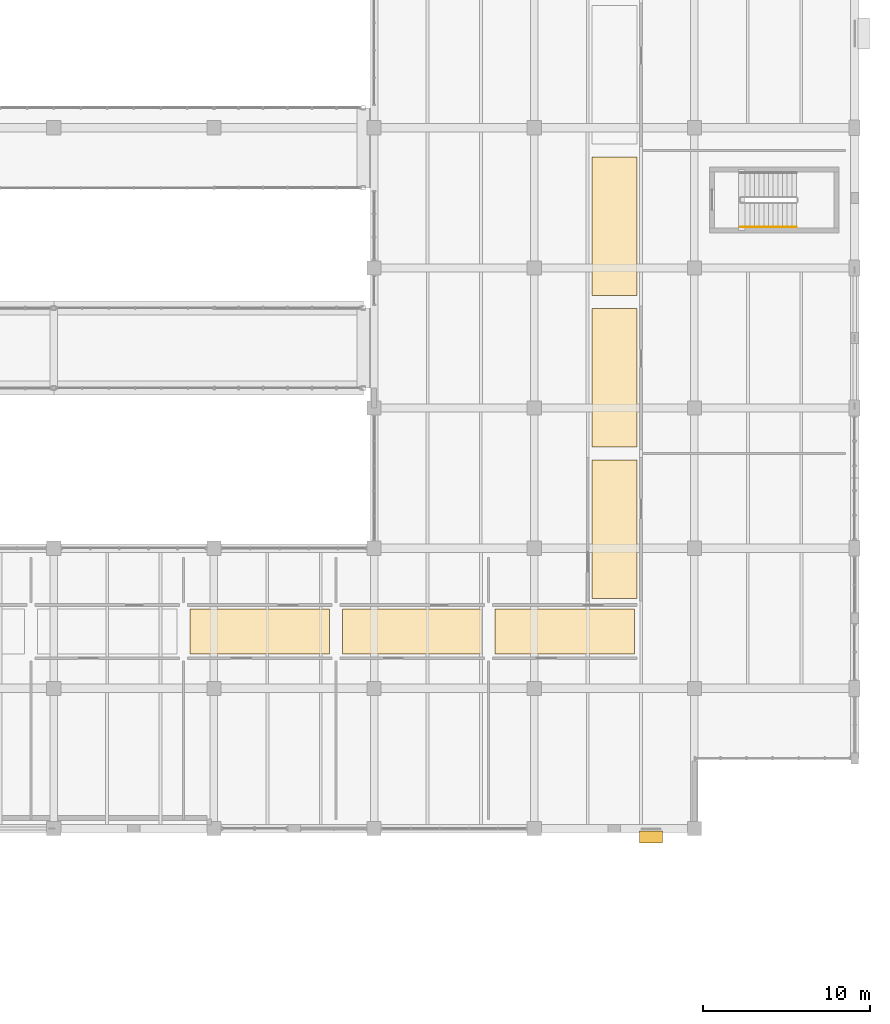
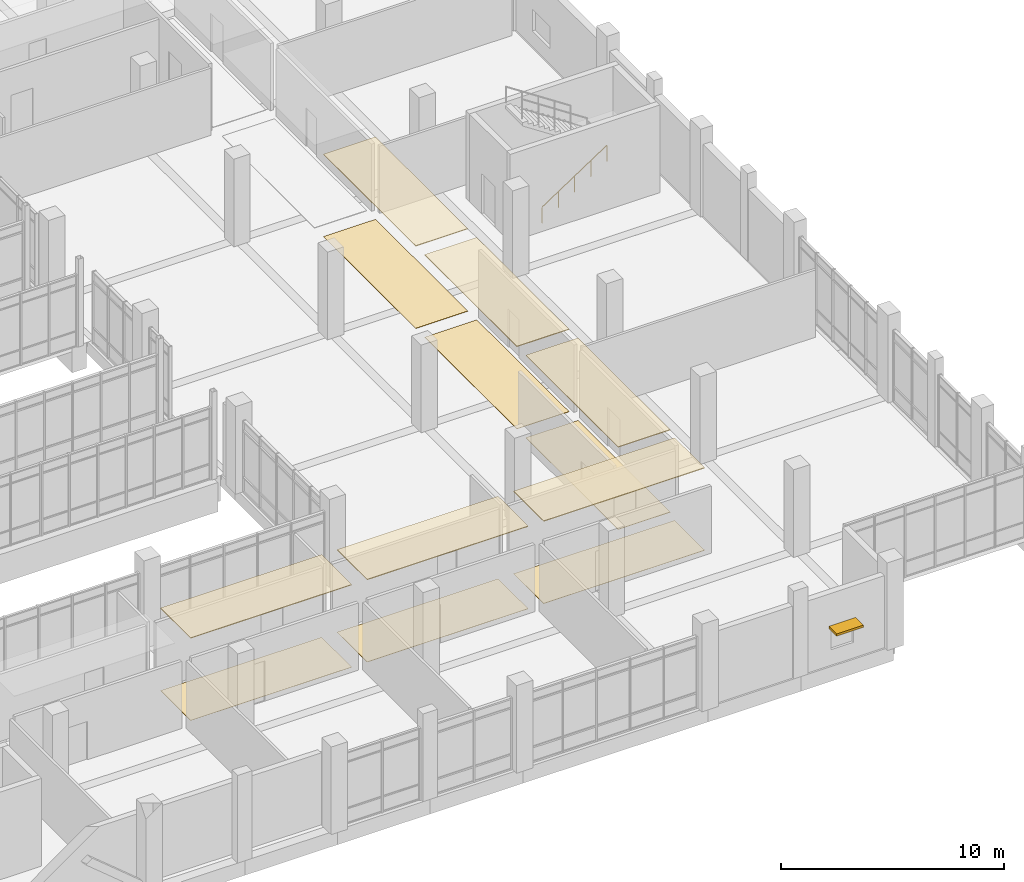
# One storey, part 145 of 152: 12 coverings, 1 railing, 1 shading device.
"""IFC4 building model written with IfcOpenShell, lengths in metres."""

from ifc_helpers import new_model, si_unit, direction, frame, origin, origin_2d, place, context, subcontext, project, spatial, polyline, rectangle, circle, outline, extrude, material, layer, layer_set, type_object, element, save


model = new_model("IFC4")

# Units and contexts
model_context = context("Model", 3, precision=1e-05, world=origin(), true_north=direction((0.0, 1.0)))
body_context = subcontext(model_context, "Body", "Model", "MODEL_VIEW")
ifc_project = project(units=[si_unit("LENGTHUNIT", "METRE"), si_unit("AREAUNIT", "SQUARE_METRE"), si_unit("VOLUMEUNIT", "CUBIC_METRE"), si_unit("PLANEANGLEUNIT", "RADIAN"), si_unit("MASSUNIT", "GRAM", prefix="KILO")], contexts=[model_context])

# Site, building, storey
site_placement = place(None, origin())
site = spatial("IfcSite", under=ifc_project, at=site_placement, CompositionType="ELEMENT")
building_placement = place(site_placement, origin())
building = spatial("IfcBuilding", under=site, at=building_placement, Name="Oolite Switchyard Hospital", CompositionType="ELEMENT")
storey_placement = place(building_placement, frame((0.0, 0.0, 5.10009765625)))
storey = spatial("IfcBuildingStorey", under=building, at=storey_placement, Name="L01", CompositionType="ELEMENT", Elevation=5.10009765625)

# Coverings
ifc_material_1 = material(Name="Hygienic washable mineral-fibre acoustic ceiling")
ifc_layer_1 = layer(ifc_material_1, 0.0400390625)
ifc_layer_set_1 = layer_set([ifc_layer_1], Name="COV-CEIL-AC60")
covering_type_1 = type_object("IfcCoveringType", Name="COV-CEIL-AC60", PredefinedType="CEILING", material=ifc_layer_set_1)
covering_1_placement = place(storey_placement, frame((0.0, 0.0, 4.5)))
element("IfcCovering", 1, at=covering_1_placement, inside=storey, type_object=covering_type_1, Name="L01 Outpatient Cardiology Corridor L01 Ceiling 5", PredefinedType="CEILING", context=body_context, shape_type="SweptSolid", body=[
    extrude(outline(polyline([(171.3720703125, 18.85009765625), (179.715087890625, 18.85009765625), (179.715087890625, 21.550048828125), (171.3720703125, 21.550048828125), (171.3720703125, 18.85009765625)])), origin(), (0.0, 0.0, 1.0), 0.039794921875),
])
covering_2_placement = place(storey_placement, frame((0.0, 0.0, 4.5)))
element("IfcCovering", 2, at=covering_2_placement, inside=storey, type_object=covering_type_1, Name="L01 Outpatient Cardiology Corridor L01 Ceiling 6", PredefinedType="CEILING", context=body_context, shape_type="SweptSolid", body=[
    extrude(outline(polyline([(180.514892578125, 18.85009765625), (188.85791015625, 18.85009765625), (188.85791015625, 21.550048828125), (180.514892578125, 21.550048828125), (180.514892578125, 18.85009765625)])), origin(), (0.0, 0.0, 1.0), 0.039794921875),
])
covering_3_placement = place(storey_placement, frame((0.0, 0.0, 4.5)))
element("IfcCovering", 3, at=covering_3_placement, inside=storey, type_object=covering_type_1, Name="L01 Outpatient Cardiology Corridor L01 Ceiling 7", PredefinedType="CEILING", context=body_context, shape_type="SweptSolid", body=[
    extrude(outline(polyline([(189.657958984375, 18.85009765625), (198.0009765625, 18.85009765625), (198.0009765625, 21.550048828125), (189.657958984375, 21.550048828125), (189.657958984375, 18.85009765625)])), origin(), (0.0, 0.0, 1.0), 0.039794921875),
])
covering_4_placement = place(storey_placement, frame((0.0, 0.0, 4.5)))
element("IfcCovering", 4, at=covering_4_placement, inside=storey, type_object=covering_type_1, Name="L01 Outpatient Orthopedics Clinic Corridor Ceiling 1", PredefinedType="CEILING", context=body_context, shape_type="SweptSolid", body=[
    extrude(outline(polyline([(195.449951171875, 22.199951171875), (198.14990234375, 22.199951171875), (198.14990234375, 30.47998046875), (195.449951171875, 30.47998046875), (195.449951171875, 22.199951171875)])), origin(), (0.0, 0.0, 1.0), 0.039794921875),
])
covering_5_placement = place(storey_placement, frame((0.0, 0.0, 4.5)))
element("IfcCovering", 5, at=covering_5_placement, inside=storey, type_object=covering_type_1, Name="L01 Outpatient Orthopedics Clinic Corridor Ceiling 2", PredefinedType="CEILING", context=body_context, shape_type="SweptSolid", body=[
    extrude(outline(polyline([(195.449951171875, 31.280029296875), (198.14990234375, 31.280029296875), (198.14990234375, 39.56005859375), (195.449951171875, 39.56005859375), (195.449951171875, 31.280029296875)])), origin(), (0.0, 0.0, 1.0), 0.039794921875),
])
covering_6_placement = place(storey_placement, frame((0.0, 0.0, 4.5)))
element("IfcCovering", 6, at=covering_6_placement, inside=storey, type_object=covering_type_1, Name="L01 Outpatient Orthopedics Clinic Corridor Ceiling 3", PredefinedType="CEILING", context=body_context, shape_type="SweptSolid", body=[
    extrude(outline(polyline([(195.449951171875, 40.360107421875), (198.14990234375, 40.360107421875), (198.14990234375, 48.639892578125), (195.449951171875, 48.639892578125), (195.449951171875, 40.360107421875)])), origin(), (0.0, 0.0, 1.0), 0.039794921875),
])
ifc_material_2 = material(Name="Conductive homogeneous sheet vinyl flooring")
ifc_layer_2 = layer(ifc_material_2, 0.014892578125)
ifc_layer_set_2 = layer_set([ifc_layer_2], Name="COV-FLR-ESD15")
covering_type_2 = type_object("IfcCoveringType", Name="COV-FLR-ESD15", PredefinedType="FLOORING", material=ifc_layer_set_2)
covering_7_placement = place(storey_placement, origin())
element("IfcCovering", 7, at=covering_7_placement, inside=storey, type_object=covering_type_2, Name="L01 Outpatient Cardiology Corridor L01 Flooring 5", PredefinedType="FLOORING", context=body_context, shape_type="SweptSolid", body=[
    extrude(outline(polyline([(171.3720703125, 18.85009765625), (179.715087890625, 18.85009765625), (179.715087890625, 21.550048828125), (171.3720703125, 21.550048828125), (171.3720703125, 18.85009765625)])), origin(), (0.0, 0.0, 1.0), 0.014892578125),
])
covering_8_placement = place(storey_placement, origin())
element("IfcCovering", 8, at=covering_8_placement, inside=storey, type_object=covering_type_2, Name="L01 Outpatient Cardiology Corridor L01 Flooring 6", PredefinedType="FLOORING", context=body_context, shape_type="SweptSolid", body=[
    extrude(outline(polyline([(180.514892578125, 18.85009765625), (188.85791015625, 18.85009765625), (188.85791015625, 21.550048828125), (180.514892578125, 21.550048828125), (180.514892578125, 18.85009765625)])), origin(), (0.0, 0.0, 1.0), 0.014892578125),
])
covering_9_placement = place(storey_placement, origin())
element("IfcCovering", 9, at=covering_9_placement, inside=storey, type_object=covering_type_2, Name="L01 Outpatient Cardiology Corridor L01 Flooring 7", PredefinedType="FLOORING", context=body_context, shape_type="SweptSolid", body=[
    extrude(outline(polyline([(189.657958984375, 18.85009765625), (198.0009765625, 18.85009765625), (198.0009765625, 21.550048828125), (189.657958984375, 21.550048828125), (189.657958984375, 18.85009765625)])), origin(), (0.0, 0.0, 1.0), 0.014892578125),
])
ifc_material_3 = material(Name="Epoxy terrazzo seamless clinical flooring")
ifc_layer_3 = layer(ifc_material_3, 0.02001953125)
ifc_layer_set_3 = layer_set([ifc_layer_3], Name="COV-FLR-TER20")
covering_type_3 = type_object("IfcCoveringType", Name="COV-FLR-TER20", PredefinedType="FLOORING", material=ifc_layer_set_3)
covering_10_placement = place(storey_placement, origin())
element("IfcCovering", 10, at=covering_10_placement, inside=storey, type_object=covering_type_3, Name="L01 Outpatient Orthopedics Clinic Corridor Flooring 1", PredefinedType="FLOORING", context=body_context, shape_type="SweptSolid", body=[
    extrude(outline(polyline([(195.449951171875, 22.199951171875), (198.14990234375, 22.199951171875), (198.14990234375, 30.47998046875), (195.449951171875, 30.47998046875), (195.449951171875, 22.199951171875)])), origin(), (0.0, 0.0, 1.0), 0.02001953125),
])
covering_11_placement = place(storey_placement, origin())
element("IfcCovering", 11, at=covering_11_placement, inside=storey, type_object=covering_type_3, Name="L01 Outpatient Orthopedics Clinic Corridor Flooring 2", PredefinedType="FLOORING", context=body_context, shape_type="SweptSolid", body=[
    extrude(outline(polyline([(195.449951171875, 31.280029296875), (198.14990234375, 31.280029296875), (198.14990234375, 39.56005859375), (195.449951171875, 39.56005859375), (195.449951171875, 31.280029296875)])), origin(), (0.0, 0.0, 1.0), 0.02001953125),
])
covering_12_placement = place(storey_placement, origin())
element("IfcCovering", 12, at=covering_12_placement, inside=storey, type_object=covering_type_3, Name="L01 Outpatient Orthopedics Clinic Corridor Flooring 3", PredefinedType="FLOORING", context=body_context, shape_type="SweptSolid", body=[
    extrude(outline(polyline([(195.449951171875, 40.360107421875), (198.14990234375, 40.360107421875), (198.14990234375, 48.639892578125), (195.449951171875, 48.639892578125), (195.449951171875, 40.360107421875)])), origin(), (0.0, 0.0, 1.0), 0.02001953125),
])

# Railing
ifc_material_4 = material(Name="Galvanized painted architectural steel handrail", Category="steel")
railing_type = type_object("IfcRailingType", Name="RL-STAIR-HND", PredefinedType="HANDRAIL", material=ifc_material_4)
railing_placement = place(storey_placement, frame((204.360107421875, 44.449951171875, 0.1845703125)))
element("IfcRailing", 13, at=railing_placement, inside=storey, type_object=railing_type, Name="L01 ST-06 stair handrail 1", PredefinedType="HANDRAIL", context=body_context, shape_type="SweptSolid", body=[
    extrude(circle(Radius=0.02392578125, at=origin_2d()), frame((0.0, 0.0, 0.8759765625), z_axis=(0.834858096282, 0.0, 0.550465220583), x_axis=(0.0, 1.0, 0.0)), (0.0, 0.0, 1.0), 4.0244140625),
    extrude(circle(Radius=0.02099609375, at=origin_2d()), origin(), (0.0, 0.0, 1.0), 0.851806640625),
    extrude(circle(Radius=0.02099609375, at=origin_2d()), frame((0.83984375, 0.0, 0.5537109375)), (0.0, 0.0, 1.0), 0.851806640625),
    extrude(circle(Radius=0.02099609375, at=origin_2d()), frame((1.679931640625, 0.0, 1.107666015625)), (0.0, 0.0, 1.0), 0.851806640625),
    extrude(circle(Radius=0.02099609375, at=origin_2d()), frame((2.52001953125, 0.0, 1.66162109375)), (0.0, 0.0, 1.0), 0.851806640625),
    extrude(circle(Radius=0.02099609375, at=origin_2d()), frame((3.35986328125, 0.0, 2.21533203125)), (0.0, 0.0, 1.0), 0.851806640625),
])

# Shading device
ifc_material_5 = material(Name="Precast oolitic limestone architectural concrete C40/50", Category="masonry")
ifc_layer_4 = layer(ifc_material_5, 0.1201171875)
ifc_layer_set_4 = layer_set([ifc_layer_4], Name="SHD-BRISE-900")
shading_device_type = type_object("IfcShadingDeviceType", Name="SHD-BRISE-900", PredefinedType="AWNING", material=ifc_layer_set_4)
shading_device_placement = place(storey_placement, frame((198.9970703125, 7.889892578125, 2.059814453125), z_axis=(0.0, 0.0, 1.0), x_axis=(1.0, 0.0, 0.0)))
element("IfcShadingDevice", 14, at=shading_device_placement, inside=storey, type_object=shading_device_type, Name="L01 Classical Brise-Soleil Sunshade 16", PredefinedType="AWNING", context=body_context, shape_type="SweptSolid", body=[
    extrude(rectangle(XDim=1.389892578125, YDim=0.699951171875, at=origin_2d()), origin(), (0.0, 0.0, 1.0), 0.1201171875),
])

save(model, "model.ifc")
